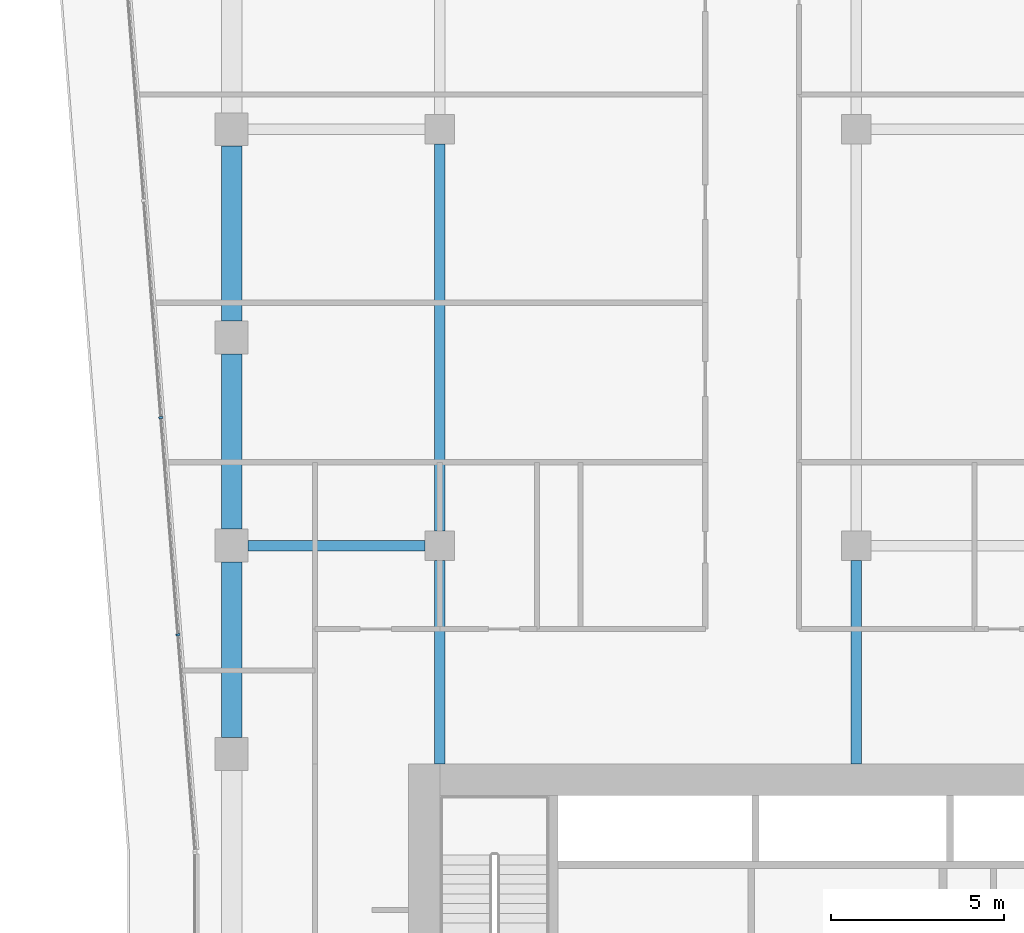
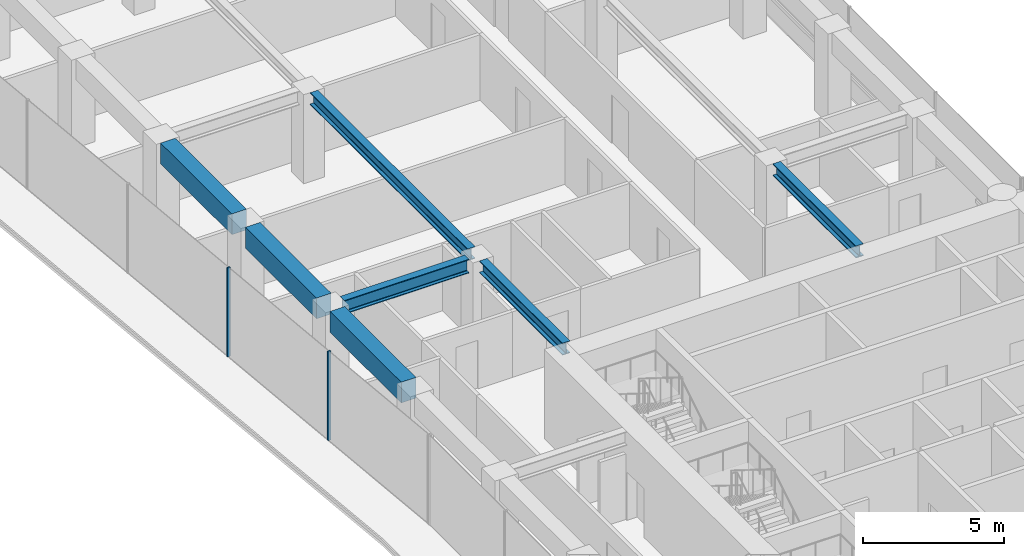
# One storey, part 12 of 28: 7 beams, 2 members, 1 element without a shape of its own.
"""IFC4 building model written with IfcOpenShell, lengths in metres."""

from ifc_helpers import new_model, si_unit, direction, frame, origin, origin_2d, place, context, subcontext, project, spatial, rectangle, i_section, extrude, material, layer, layer_set, material_profile, profile_set, type_object, element, aggregate, save


model = new_model("IFC4")

# Units and contexts
model_context = context("Model", 3, precision=1e-05, world=origin(), true_north=direction((0.0, 1.0)))
body_context = subcontext(model_context, "Body", "Model", "MODEL_VIEW")
ifc_project = project(units=[si_unit("LENGTHUNIT", "METRE"), si_unit("AREAUNIT", "SQUARE_METRE"), si_unit("VOLUMEUNIT", "CUBIC_METRE"), si_unit("PLANEANGLEUNIT", "RADIAN"), si_unit("MASSUNIT", "GRAM", prefix="KILO")], contexts=[model_context])

# Site, building, storey
site_placement = place(None, origin())
site = spatial("IfcSite", under=ifc_project, at=site_placement, CompositionType="ELEMENT")
building_placement = place(site_placement, origin())
building = spatial("IfcBuilding", under=site, at=building_placement, Name="Welwitschia Terrace Campus", CompositionType="ELEMENT")
storey_placement = place(building_placement, frame((0.0, 0.0, 71.0)))
storey = spatial("IfcBuildingStorey", under=building, at=storey_placement, Name="L16", CompositionType="ELEMENT", Elevation=71.0)

# Beams
ifc_material_1 = material(Name="Steel S355", Category="steel")
ifc_material_profile_1 = material_profile(ifc_material_1, i_section(OverallWidth=0.305908203125, OverallDepth=0.52392578125, WebThickness=0.02099609375, FlangeThickness=0.0400390625, FilletRadius=0.027099609375, at=origin_2d()))
ifc_profile_set_1 = profile_set([ifc_material_profile_1], Name="Steel S355")
beam_type_1 = type_object("IfcBeamType", Name="Interior girder HE 500 M", PredefinedType="BEAM", material=ifc_profile_set_1)
beam_1_placement = place(storey_placement, frame((6.0, 25.700927734375, 3.587890625), z_axis=(0.0, 1.0, 0.0), x_axis=(-1.0, 0.0, 0.0)))
element("IfcBeam", 1, at=beam_1_placement, inside=storey, type_object=beam_type_1, Name="Girder GB2", PredefinedType="BEAM", context=body_context, shape_type="SweptSolid", body=[
    extrude(i_section(OverallWidth=0.305908203125, OverallDepth=0.52392578125, WebThickness=0.02099609375, FlangeThickness=0.0400390625, FilletRadius=0.027099609375, at=origin_2d()), origin(), (0.0, 0.0, 1.0), 5.87353515625),
])
beam_2_placement = place(storey_placement, frame((6.0, 32.425537109375, 3.587890625), z_axis=(0.0, 1.0, 0.0), x_axis=(-1.0, 0.0, 0.0)))
element("IfcBeam", 2, at=beam_2_placement, inside=storey, type_object=beam_type_1, Name="Girder GB2", PredefinedType="BEAM", context=body_context, shape_type="SweptSolid", body=[
    extrude(i_section(OverallWidth=0.305908203125, OverallDepth=0.52392578125, WebThickness=0.02099609375, FlangeThickness=0.0400390625, FilletRadius=0.027099609375, at=origin_2d()), origin(), (0.0, 0.0, 1.0), 11.14892578125),
])
beam_3_placement = place(storey_placement, frame((18.0, 25.700927734375, 3.587890625), z_axis=(0.0, 1.0, 0.0), x_axis=(-1.0, 0.0, 0.0)))
element("IfcBeam", 3, at=beam_3_placement, inside=storey, type_object=beam_type_1, Name="Girder GB2", PredefinedType="BEAM", context=body_context, shape_type="SweptSolid", body=[
    extrude(i_section(OverallWidth=0.305908203125, OverallDepth=0.52392578125, WebThickness=0.02099609375, FlangeThickness=0.0400390625, FilletRadius=0.027099609375, at=origin_2d()), origin(), (0.0, 0.0, 1.0), 5.87353515625),
])

# Curtain wall, members
ifc_material_2 = material(Name="Bronze anodised aluminium", Category="aluminium")
ifc_layer = layer(ifc_material_2, 0.1201171875)
ifc_layer_set = layer_set([ifc_layer], Name="Bronze anodised aluminium")
curtain_wall_type = type_object("IfcCurtainWallType", Name="Curtain wall CW2 tower 6000", PredefinedType="NOTDEFINED", material=ifc_layer_set)
curtain_wall_placement = place(storey_placement, origin())
curtain_wall = element("IfcCurtainWall", 4, at=curtain_wall_placement, inside=storey, type_object=curtain_wall_type, Name="CW L16.18.0", PredefinedType="NOTDEFINED")
ifc_material_3 = material(Name="Bronze anodised aluminium", Category="aluminium")
ifc_material_profile_2 = material_profile(ifc_material_3, rectangle(XDim=0.1201171875, YDim=0.06005859375, at=origin_2d()))
ifc_profile_set_2 = profile_set([ifc_material_profile_2], Name="Bronze anodised aluminium")
member_type = type_object("IfcMemberType", Name="Mullion 60x120", PredefinedType="MULLION", material=ifc_profile_set_2)
member_1_placement = place(storey_placement, frame((-2.04296875, 35.686767578125, 0.0), z_axis=(0.0, 0.0, 1.0), x_axis=(0.996917333733, 0.078459095728, 0.0)))
member_1 = element("IfcMember", 5, at=member_1_placement, type_object=member_type, Name="Mullion L16.18.0.4", PredefinedType="MULLION", context=body_context, shape_type="SweptSolid", body=[
    extrude(rectangle(XDim=0.1201171875, YDim=0.06005859375, at=origin_2d()), origin(), (0.0, 0.0, 1.0), 3.85009765625),
])
member_2_placement = place(storey_placement, frame((-1.550537109375, 29.429443359375, 0.0), z_axis=(0.0, 0.0, 1.0), x_axis=(0.996917333733, 0.078459095728, 0.0)))
member_2 = element("IfcMember", 6, at=member_2_placement, type_object=member_type, Name="Mullion L16.18.0.5", PredefinedType="MULLION", context=body_context, shape_type="SweptSolid", body=[
    extrude(rectangle(XDim=0.1201171875, YDim=0.06005859375, at=origin_2d()), origin(), (0.0, 0.0, 1.0), 3.85009765625),
])
aggregate(curtain_wall, [member_1, member_2])

# Beams
ifc_material_4 = material(Name="Steel S355", Category="steel")
ifc_material_profile_3 = material_profile(ifc_material_4, i_section(OverallWidth=0.300048828125, OverallDepth=0.60009765625, WebThickness=0.015380859375, FlangeThickness=0.030029296875, FilletRadius=0.027099609375, at=origin_2d()))
ifc_profile_set_3 = profile_set([ifc_material_profile_3], Name="Steel S355")
beam_type_2 = type_object("IfcBeamType", Name="Primary beam HE 600 B", PredefinedType="BEAM", material=ifc_profile_set_3)
beam_4_placement = place(storey_placement, frame((0.4755859375, 32.0, 3.550048828125), z_axis=(1.0, 0.0, 0.0), x_axis=(0.0, 1.0, 0.0)))
element("IfcBeam", 7, at=beam_4_placement, inside=storey, type_object=beam_type_2, Name="Primary beam PB2", PredefinedType="BEAM", context=body_context, shape_type="SweptSolid", body=[
    extrude(i_section(OverallWidth=0.300048828125, OverallDepth=0.60009765625, WebThickness=0.015380859375, FlangeThickness=0.030029296875, FilletRadius=0.027099609375, at=origin_2d()), origin(), (0.0, 0.0, 1.0), 5.098876953125),
])
ifc_material_5 = material(Name="Concrete C60/75", Category="concrete")
ifc_material_profile_4 = material_profile(ifc_material_5, rectangle(XDim=0.60009765625, YDim=0.89990234375, at=origin_2d()))
ifc_profile_set_4 = profile_set([ifc_material_profile_4], Name="Concrete C60/75")
beam_type_3 = type_object("IfcBeamType", Name="Ring spandrel 600x900", PredefinedType="SPANDREL", material=ifc_profile_set_4)
for number, where, z_axis, x_axis, name in (
    (8, (0.0, 43.5244140625, 3.39990234375), (0.0, -1.0, 0.0), (1.0, 0.0, 0.0), "Spandrel SP2"),
    (9, (0.0, 37.5244140625, 3.39990234375), (0.0, -1.0, 0.0), (1.0, 0.0, 0.0), "Spandrel SP2"),
    (10, (0.0, 31.5244140625, 3.39990234375), (0.0, -1.0, 0.0), (1.0, 0.0, 0.0), "Spandrel SP2"),
):
    element("IfcBeam", number, at=place(storey_placement, frame(where, z_axis=z_axis, x_axis=x_axis)), inside=storey, type_object=beam_type_3, Name=name, PredefinedType="SPANDREL", context=body_context, shape_type="SweptSolid", body=[
        extrude(rectangle(XDim=0.60009765625, YDim=0.89990234375, at=origin_2d()), origin(), (0.0, 0.0, 1.0), 5.048828125),
    ])

save(model, "model.ifc")
